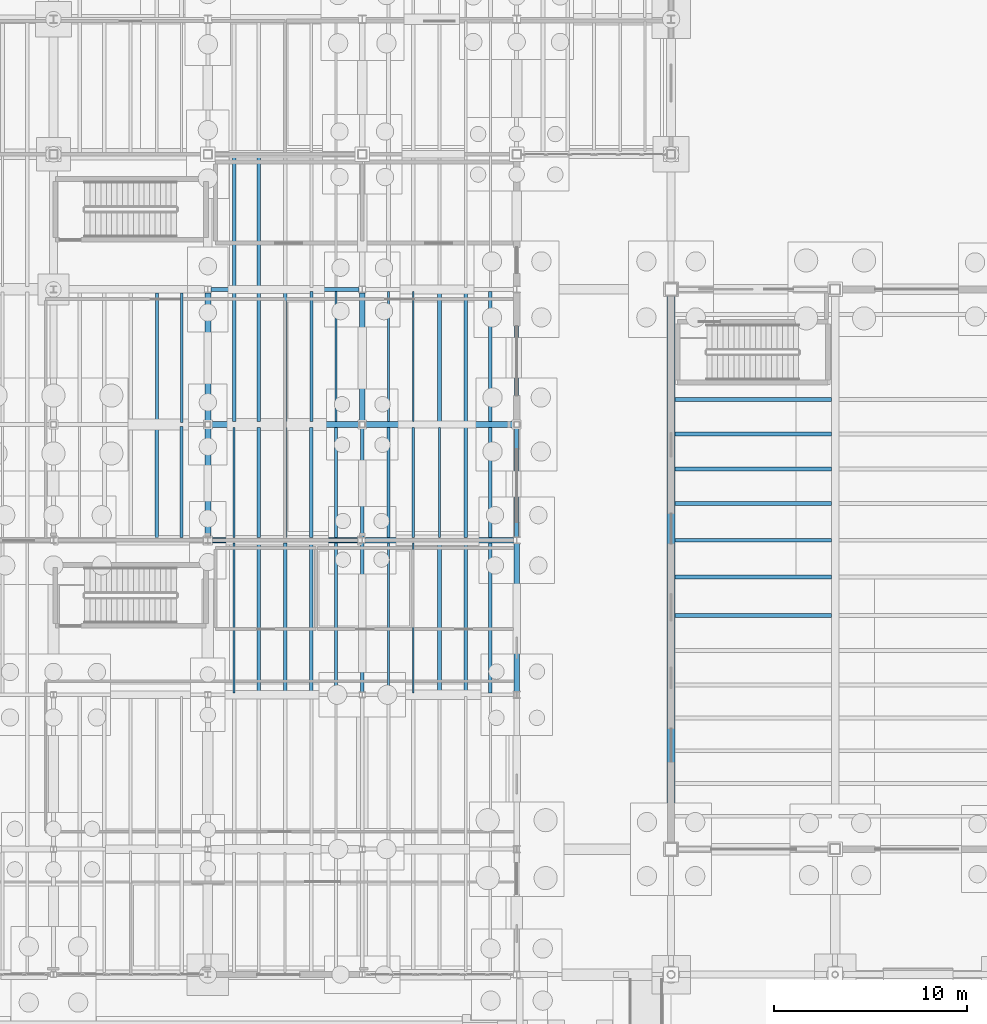
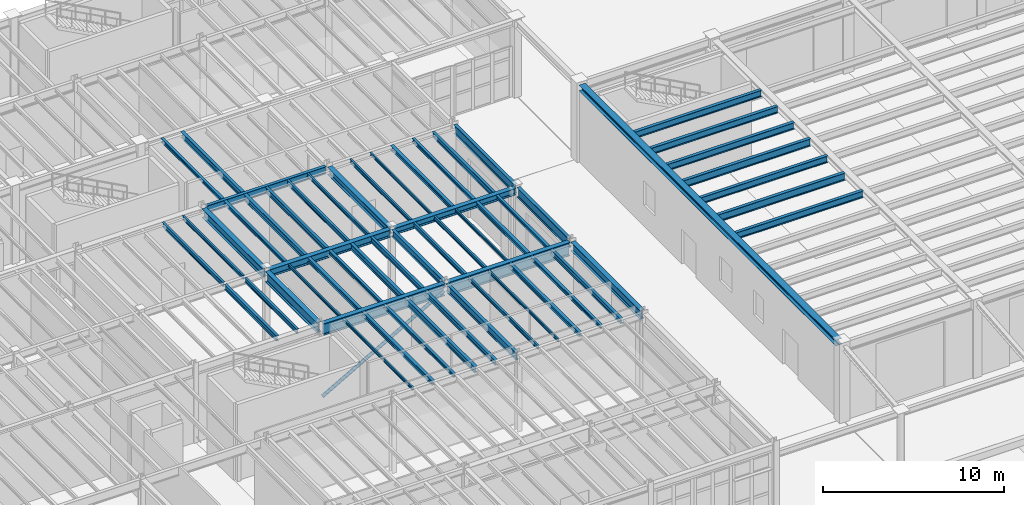
# One storey, part 28 of 86: 57 beams, 1 member.
"""IFC4 building model written with IfcOpenShell, lengths in metres."""

from ifc_helpers import new_model, si_unit, direction, frame, origin, origin_2d, place, context, subcontext, project, spatial, hollow_circle, i_section, extrude, material, material_profile, profile_set, type_object, element, save


model = new_model("IFC4")

# Units and contexts
model_context = context("Model", 3, precision=1e-05, world=origin(), true_north=direction((0.0, 1.0)))
body_context = subcontext(model_context, "Body", "Model", "MODEL_VIEW")
ifc_project = project(units=[si_unit("LENGTHUNIT", "METRE"), si_unit("AREAUNIT", "SQUARE_METRE"), si_unit("VOLUMEUNIT", "CUBIC_METRE"), si_unit("PLANEANGLEUNIT", "RADIAN"), si_unit("MASSUNIT", "GRAM", prefix="KILO"), si_unit("THERMODYNAMICTEMPERATUREUNIT", "KELVIN"), si_unit("POWERUNIT", "WATT")], contexts=[model_context])

# Site, building, storey
site_placement = place(None, origin())
site = spatial("IfcSite", under=ifc_project, at=site_placement, CompositionType="ELEMENT")
building_placement = place(site_placement, origin())
building = spatial("IfcBuilding", under=site, at=building_placement, Name="Zhenchuan Central Fire Station", CompositionType="ELEMENT")
storey_placement = place(building_placement, frame((0.0, 0.0, 0.449951171875)))
storey = spatial("IfcBuildingStorey", under=building, at=storey_placement, Name="L01", CompositionType="ELEMENT", Elevation=0.449951171875)

# Beams
ifc_material = material(Name="Steel Q355B", Category="steel")
ifc_material_profile_1 = material_profile(ifc_material, i_section(OverallWidth=0.300048828125, OverallDepth=0.43994140625, WebThickness=0.010986328125, FlangeThickness=0.01806640625, FilletRadius=0.02197265625, at=origin_2d()), Name="HM 440x300")
ifc_profile_set_1 = profile_set([ifc_material_profile_1], Name="Steel Q355B")
beam_type_1 = type_object("IfcBeamType", Name="BM-HM440-INT", PredefinedType="BEAM", material=ifc_profile_set_1)
beam_1_placement = place(storey_placement, frame((40.14990234375, 28.5, 4.93994140625), z_axis=(1.0, 0.0, 0.0), x_axis=(0.0, 1.0, 0.0)))
element("IfcBeam", 1, at=beam_1_placement, inside=storey, type_object=beam_type_1, Name="L02 Girder EW 0049", PredefinedType="BEAM", context=body_context, shape_type="SweptSolid", body=[
    extrude(i_section(OverallWidth=0.300048828125, OverallDepth=0.43994140625, WebThickness=0.010986328125, FlangeThickness=0.01806640625, FilletRadius=0.02197265625, at=origin_2d()), origin(), (0.0, 0.0, 1.0), 7.7001953125),
])
ifc_material_profile_2 = material_profile(ifc_material, i_section(OverallWidth=0.300048828125, OverallDepth=0.5, WebThickness=0.010986328125, FlangeThickness=0.01806640625, FilletRadius=0.02197265625, at=origin_2d()), Name="HM 500x300")
ifc_profile_set_2 = profile_set([ifc_material_profile_2], Name="Steel Q355B")
beam_type_2 = type_object("IfcBeamType", Name="BM-HM500-INT", PredefinedType="BEAM", material=ifc_profile_set_2)
beam_2_placement = place(storey_placement, frame((32.14990234375, 28.5, 4.91015625), z_axis=(1.0, 0.0, 0.0), x_axis=(0.0, 1.0, 0.0)))
element("IfcBeam", 2, at=beam_2_placement, inside=storey, type_object=beam_type_2, Name="L02 Girder EW 0048", PredefinedType="BEAM", context=body_context, shape_type="SweptSolid", body=[
    extrude(i_section(OverallWidth=0.300048828125, OverallDepth=0.5, WebThickness=0.010986328125, FlangeThickness=0.01806640625, FilletRadius=0.02197265625, at=origin_2d()), origin(), (0.0, 0.0, 1.0), 7.7001953125),
])
beam_3_placement = place(storey_placement, frame((40.0, 28.64990234375, 4.91015625), z_axis=(0.0, 1.0, 0.0), x_axis=(-1.0, 0.0, 0.0)))
element("IfcBeam", 3, at=beam_3_placement, inside=storey, type_object=beam_type_2, Name="L02 Girder NS 0138", PredefinedType="BEAM", context=body_context, shape_type="SweptSolid", body=[
    extrude(i_section(OverallWidth=0.300048828125, OverallDepth=0.5, WebThickness=0.010986328125, FlangeThickness=0.01806640625, FilletRadius=0.02197265625, at=origin_2d()), origin(), (0.0, 0.0, 1.0), 6.675048828125),
])
ifc_material_profile_3 = material_profile(ifc_material, i_section(OverallWidth=0.300048828125, OverallDepth=0.587890625, WebThickness=0.011962890625, FlangeThickness=0.02001953125, FilletRadius=0.02392578125, at=origin_2d()), Name="HM 588x300")
ifc_profile_set_3 = profile_set([ifc_material_profile_3], Name="Steel Q355B")
beam_type_3 = type_object("IfcBeamType", Name="BM-HM588", PredefinedType="BEAM", material=ifc_profile_set_3)
beam_4_placement = place(storey_placement, frame((32.0, 28.64990234375, 4.865966796875), z_axis=(0.0, 1.0, 0.0), x_axis=(-1.0, 0.0, 0.0)))
element("IfcBeam", 4, at=beam_4_placement, inside=storey, type_object=beam_type_3, Name="L02 Girder NS 0132", PredefinedType="BEAM", context=body_context, shape_type="SweptSolid", body=[
    extrude(i_section(OverallWidth=0.300048828125, OverallDepth=0.587890625, WebThickness=0.011962890625, FlangeThickness=0.02001953125, FilletRadius=0.02392578125, at=origin_2d()), origin(), (0.0, 0.0, 1.0), 6.675048828125),
])
beam_5_placement = place(storey_placement, frame((48.0, 14.675048828125, 4.906005859375), z_axis=(0.0, 1.0, 0.0), x_axis=(-1.0, 0.0, 0.0)))
element("IfcBeam", 5, at=beam_5_placement, inside=storey, type_object=beam_type_3, Name="L02 Girder NS 0143", PredefinedType="BEAM", context=body_context, shape_type="SweptSolid", body=[
    extrude(i_section(OverallWidth=0.300048828125, OverallDepth=0.587890625, WebThickness=0.011962890625, FlangeThickness=0.02001953125, FilletRadius=0.02392578125, at=origin_2d()), origin(), (0.0, 0.0, 1.0), 7.64990234375),
])
ifc_material_profile_4 = material_profile(ifc_material, i_section(OverallWidth=0.199951171875, OverallDepth=0.449951171875, WebThickness=0.009033203125, FlangeThickness=0.013916015625, FilletRadius=0.01806640625, at=origin_2d()), Name="HN 450x200")
ifc_profile_set_4 = profile_set([ifc_material_profile_4], Name="Steel Q355B")
beam_type_4 = type_object("IfcBeamType", Name="BM-HN450", PredefinedType="BEAM", material=ifc_profile_set_4)
beam_6_placement = place(storey_placement, frame((40.0, 22.64990234375, 4.93505859375), z_axis=(0.0, 1.0, 0.0), x_axis=(-1.0, 0.0, 0.0)))
element("IfcBeam", 6, at=beam_6_placement, inside=storey, type_object=beam_type_4, Name="L02 Girder NS 0137", PredefinedType="BEAM", context=body_context, shape_type="SweptSolid", body=[
    extrude(i_section(OverallWidth=0.199951171875, OverallDepth=0.449951171875, WebThickness=0.009033203125, FlangeThickness=0.013916015625, FilletRadius=0.01806640625, at=origin_2d()), origin(), (0.0, 0.0, 1.0), 5.7001953125),
])
for number, where, z_axis, x_axis, name in (
    (7, (56.197021484375, 18.60009765625, 4.97509765625), (1.0, 0.0, 0.0), (0.0, 1.0, 0.0), "Appliance Hall Secondary Floor Joist 0837"),
    (8, (56.197021484375, 22.5, 4.97509765625), (1.0, 0.0, 0.0), (0.0, 1.0, 0.0), "Appliance Hall Secondary Floor Joist 0839"),
    (9, (56.197021484375, 26.199951171875, 4.97509765625), (1.0, 0.0, 0.0), (0.0, 1.0, 0.0), "Appliance Hall Secondary Floor Joist 0841"),
    (10, (56.197021484375, 28.0, 4.97509765625), (1.0, 0.0, 0.0), (0.0, 1.0, 0.0), "Appliance Hall Secondary Floor Joist 0842"),
    (11, (56.197021484375, 29.800048828125, 4.97509765625), (1.0, 0.0, 0.0), (0.0, 1.0, 0.0), "Appliance Hall Secondary Floor Joist 0843"),
):
    element("IfcBeam", number, at=place(storey_placement, frame(where, z_axis=z_axis, x_axis=x_axis)), inside=storey, type_object=beam_type_4, Name=name, PredefinedType="BEAM", context=body_context, shape_type="SweptSolid", body=[
        extrude(i_section(OverallWidth=0.199951171875, OverallDepth=0.449951171875, WebThickness=0.009033203125, FlangeThickness=0.013916015625, FilletRadius=0.01806640625, at=origin_2d()), origin(), (0.0, 0.0, 1.0), 8.10595703125),
    ])
ifc_material_profile_5 = material_profile(ifc_material, i_section(OverallWidth=0.199951171875, OverallDepth=0.5, WebThickness=0.010009765625, FlangeThickness=0.01611328125, FilletRadius=0.02001953125, at=origin_2d()), Name="HN 500x200")
ifc_profile_set_5 = profile_set([ifc_material_profile_5], Name="Steel Q355B")
beam_type_5 = type_object("IfcBeamType", Name="BM-HN500-INT", PredefinedType="BEAM", material=ifc_profile_set_5)
beam_7_placement = place(storey_placement, frame((40.0, 14.64990234375, 4.91015625), z_axis=(0.0, 1.0, 0.0), x_axis=(-1.0, 0.0, 0.0)))
element("IfcBeam", 12, at=beam_7_placement, inside=storey, type_object=beam_type_5, Name="L02 Girder NS 0136", PredefinedType="BEAM", context=body_context, shape_type="SweptSolid", body=[
    extrude(i_section(OverallWidth=0.199951171875, OverallDepth=0.5, WebThickness=0.010009765625, FlangeThickness=0.01611328125, FilletRadius=0.02001953125, at=origin_2d()), origin(), (0.0, 0.0, 1.0), 7.7001953125),
])
for number, where, z_axis, x_axis, name in (
    (13, (56.197021484375, 20.60009765625, 4.949951171875), (1.0, 0.0, 0.0), (0.0, 1.0, 0.0), "Appliance Hall Secondary Floor Joist 0838"),
    (14, (56.197021484375, 24.39990234375, 4.949951171875), (1.0, 0.0, 0.0), (0.0, 1.0, 0.0), "Appliance Hall Secondary Floor Joist 0840"),
):
    element("IfcBeam", number, at=place(storey_placement, frame(where, z_axis=z_axis, x_axis=x_axis)), inside=storey, type_object=beam_type_5, Name=name, PredefinedType="BEAM", context=body_context, shape_type="SweptSolid", body=[
        extrude(i_section(OverallWidth=0.199951171875, OverallDepth=0.5, WebThickness=0.010009765625, FlangeThickness=0.01611328125, FilletRadius=0.02001953125, at=origin_2d()), origin(), (0.0, 0.0, 1.0), 8.10595703125),
    ])
ifc_material_profile_6 = material_profile(ifc_material, i_section(OverallWidth=0.199951171875, OverallDepth=0.60009765625, WebThickness=0.010986328125, FlangeThickness=0.01708984375, FilletRadius=0.02197265625, at=origin_2d()), Name="HN 600x200")
ifc_profile_set_6 = profile_set([ifc_material_profile_6], Name="Steel Q355B")
beam_type_6 = type_object("IfcBeamType", Name="BM-HN600-INT", PredefinedType="BEAM", material=ifc_profile_set_6)
beam_8_placement = place(storey_placement, frame((48.0, 28.64990234375, 4.900146484375), z_axis=(0.0, 1.0, 0.0), x_axis=(-1.0, 0.0, 0.0)))
element("IfcBeam", 15, at=beam_8_placement, inside=storey, type_object=beam_type_6, Name="L02 Girder NS 0145", PredefinedType="BEAM", context=body_context, shape_type="SweptSolid", body=[
    extrude(i_section(OverallWidth=0.199951171875, OverallDepth=0.60009765625, WebThickness=0.010986328125, FlangeThickness=0.01708984375, FilletRadius=0.02197265625, at=origin_2d()), origin(), (0.0, 0.0, 1.0), 6.675048828125),
])
ifc_material_profile_7 = material_profile(ifc_material, i_section(OverallWidth=0.199951171875, OverallDepth=0.64990234375, WebThickness=0.011962890625, FlangeThickness=0.02001953125, FilletRadius=0.02197265625, at=origin_2d()), Name="HN 650x200")
ifc_profile_set_7 = profile_set([ifc_material_profile_7], Name="Steel Q355B")
beam_type_7 = type_object("IfcBeamType", Name="BM-HN650", PredefinedType="BEAM", material=ifc_profile_set_7)
beam_9_placement = place(storey_placement, frame((48.0, 22.675048828125, 4.875), z_axis=(0.0, 1.0, 0.0), x_axis=(-1.0, 0.0, 0.0)))
element("IfcBeam", 16, at=beam_9_placement, inside=storey, type_object=beam_type_7, Name="L02 Girder NS 0144", PredefinedType="BEAM", context=body_context, shape_type="SweptSolid", body=[
    extrude(i_section(OverallWidth=0.199951171875, OverallDepth=0.64990234375, WebThickness=0.011962890625, FlangeThickness=0.02001953125, FilletRadius=0.02197265625, at=origin_2d()), origin(), (0.0, 0.0, 1.0), 5.675048828125),
])
ifc_material_profile_8 = material_profile(ifc_material, i_section(OverallWidth=0.300048828125, OverallDepth=0.699951171875, WebThickness=0.012939453125, FlangeThickness=0.02392578125, FilletRadius=0.02392578125, at=origin_2d()), Name="HN 700x300")
ifc_profile_set_8 = profile_set([ifc_material_profile_8], Name="Steel Q355B")
beam_type_8 = type_object("IfcBeamType", Name="BM-HN700", PredefinedType="BEAM", material=ifc_profile_set_8)
beam_10_placement = place(storey_placement, frame((32.0, 22.64990234375, 4.81005859375), z_axis=(0.0, 1.0, 0.0), x_axis=(-1.0, 0.0, 0.0)))
element("IfcBeam", 17, at=beam_10_placement, inside=storey, type_object=beam_type_8, Name="L02 Girder NS 0131", PredefinedType="BEAM", context=body_context, shape_type="SweptSolid", body=[
    extrude(i_section(OverallWidth=0.300048828125, OverallDepth=0.699951171875, WebThickness=0.012939453125, FlangeThickness=0.02392578125, FilletRadius=0.02392578125, at=origin_2d()), origin(), (0.0, 0.0, 1.0), 5.7001953125),
])
ifc_material_profile_9 = material_profile(ifc_material, i_section(OverallWidth=0.300048828125, OverallDepth=0.800048828125, WebThickness=0.013916015625, FlangeThickness=0.02587890625, FilletRadius=0.02587890625, at=origin_2d()), Name="HN 800x300")
ifc_profile_set_9 = profile_set([ifc_material_profile_9], Name="Steel Q355B")
beam_type_9 = type_object("IfcBeamType", Name="BM-HN800", PredefinedType="BEAM", material=ifc_profile_set_9)
beam_11_placement = place(storey_placement, frame((32.14990234375, 22.5, 4.760009765625), z_axis=(1.0, 0.0, 0.0), x_axis=(0.0, 1.0, 0.0)))
element("IfcBeam", 18, at=beam_11_placement, inside=storey, type_object=beam_type_9, Name="L02 Girder EW 0040", PredefinedType="BEAM", context=body_context, shape_type="SweptSolid", body=[
    extrude(i_section(OverallWidth=0.300048828125, OverallDepth=0.800048828125, WebThickness=0.013916015625, FlangeThickness=0.02587890625, FilletRadius=0.02587890625, at=origin_2d()), origin(), (0.0, 0.0, 1.0), 7.7001953125),
])
ifc_material_profile_10 = material_profile(ifc_material, i_section(OverallWidth=0.300048828125, OverallDepth=0.89990234375, WebThickness=0.01611328125, FlangeThickness=0.028076171875, FilletRadius=0.02587890625, at=origin_2d()), Name="HN 900x300")
ifc_profile_set_10 = profile_set([ifc_material_profile_10], Name="Steel Q355B")
beam_type_10 = type_object("IfcBeamType", Name="BM-HN900", PredefinedType="BEAM", material=ifc_profile_set_10)
beam_12_placement = place(storey_placement, frame((40.14990234375, 22.5, 4.7099609375), z_axis=(1.0, 0.0, 0.0), x_axis=(0.0, 1.0, 0.0)))
element("IfcBeam", 19, at=beam_12_placement, inside=storey, type_object=beam_type_10, Name="L02 Girder EW 0041", PredefinedType="BEAM", context=body_context, shape_type="SweptSolid", body=[
    extrude(i_section(OverallWidth=0.300048828125, OverallDepth=0.89990234375, WebThickness=0.01611328125, FlangeThickness=0.028076171875, FilletRadius=0.02587890625, at=origin_2d()), origin(), (0.0, 0.0, 1.0), 7.675048828125),
])
ifc_material_profile_11 = material_profile(ifc_material, i_section(OverallWidth=0.39990234375, OverallDepth=0.39990234375, WebThickness=0.012939453125, FlangeThickness=0.02099609375, FilletRadius=0.02197265625, at=origin_2d()), Name="HW 400x400")
ifc_profile_set_11 = profile_set([ifc_material_profile_11], Name="Steel Q355B")
beam_type_11 = type_object("IfcBeamType", Name="BM-HW400", PredefinedType="BEAM", material=ifc_profile_set_11)
beam_13_placement = place(storey_placement, frame((56.0, 6.824951171875, 5.0), z_axis=(0.0, 1.0, 0.0), x_axis=(-1.0, 0.0, 0.0)))
element("IfcBeam", 20, at=beam_13_placement, inside=storey, type_object=beam_type_11, Name="Pratt Transfer Truss TT-01 Bottom Chord", PredefinedType="BEAM", context=body_context, shape_type="SweptSolid", body=[
    extrude(i_section(OverallWidth=0.39990234375, OverallDepth=0.39990234375, WebThickness=0.012939453125, FlangeThickness=0.02099609375, FilletRadius=0.02197265625, at=origin_2d()), origin(), (0.0, 0.0, 1.0), 28.35009765625),
])
ifc_material_profile_12 = material_profile(ifc_material, i_section(OverallWidth=0.175048828125, OverallDepth=0.243896484375, WebThickness=0.007080078125, FlangeThickness=0.010986328125, FilletRadius=0.012939453125, at=origin_2d()), Name="HM 244x175")
ifc_profile_set_12 = profile_set([ifc_material_profile_12], Name="Steel Q355B")
beam_type_12 = type_object("IfcBeamType", Name="JS-HM244", PredefinedType="JOIST", material=ifc_profile_set_12)
for number, where, z_axis, x_axis, name in (
    (21, (36.0, 14.596923828125, 5.0380859375), (0.0, 1.0, 0.0), (-1.0, 0.0, 0.0), "L02 Secondary Joist 0084"),
    (22, (45.360107421875, 14.596923828125, 5.0380859375), (0.0, 1.0, 0.0), (-1.0, 0.0, 0.0), "L02 Secondary Joist 0090"),
):
    element("IfcBeam", number, at=place(storey_placement, frame(where, z_axis=z_axis, x_axis=x_axis)), inside=storey, type_object=beam_type_12, Name=name, PredefinedType="JOIST", context=body_context, shape_type="SweptSolid", body=[
        extrude(i_section(OverallWidth=0.175048828125, OverallDepth=0.243896484375, WebThickness=0.007080078125, FlangeThickness=0.010986328125, FilletRadius=0.012939453125, at=origin_2d()), origin(), (0.0, 0.0, 1.0), 7.756103515625),
    ])
for number, where, z_axis, x_axis, name in (
    (23, (36.0, 22.64697265625, 5.0380859375), (0.0, 1.0, 0.0), (-1.0, 0.0, 0.0), "L02 Secondary Joist 0119"),
    (24, (46.639892578125, 22.64697265625, 5.0380859375), (0.0, 1.0, 0.0), (-1.0, 0.0, 0.0), "L02 Secondary Joist 0126"),
):
    element("IfcBeam", number, at=place(storey_placement, frame(where, z_axis=z_axis, x_axis=x_axis)), inside=storey, type_object=beam_type_12, Name=name, PredefinedType="JOIST", context=body_context, shape_type="SweptSolid", body=[
        extrude(i_section(OverallWidth=0.175048828125, OverallDepth=0.243896484375, WebThickness=0.007080078125, FlangeThickness=0.010986328125, FilletRadius=0.012939453125, at=origin_2d()), origin(), (0.0, 0.0, 1.0), 5.7060546875),
    ])
for number, where, z_axis, x_axis, name in (
    (25, (33.360107421875, 28.64697265625, 5.0380859375), (0.0, 1.0, 0.0), (-1.0, 0.0, 0.0), "L02 Secondary Joist 0154"),
    (26, (45.360107421875, 28.64697265625, 5.0380859375), (0.0, 1.0, 0.0), (-1.0, 0.0, 0.0), "L02 Secondary Joist 0162"),
    (27, (33.360107421875, 35.596923828125, 5.0380859375), (0.0, 1.0, 0.0), (-1.0, 0.0, 0.0), "L02 Secondary Joist 0189"),
):
    element("IfcBeam", number, at=place(storey_placement, frame(where, z_axis=z_axis, x_axis=x_axis)), inside=storey, type_object=beam_type_12, Name=name, PredefinedType="JOIST", context=body_context, shape_type="SweptSolid", body=[
        extrude(i_section(OverallWidth=0.175048828125, OverallDepth=0.243896484375, WebThickness=0.007080078125, FlangeThickness=0.010986328125, FilletRadius=0.012939453125, at=origin_2d()), origin(), (0.0, 0.0, 1.0), 6.756103515625),
    ])
ifc_material_profile_13 = material_profile(ifc_material, i_section(OverallWidth=0.199951171875, OverallDepth=0.2939453125, WebThickness=0.008056640625, FlangeThickness=0.011962890625, FilletRadius=0.01611328125, at=origin_2d()), Name="HM 294x200")
ifc_profile_set_13 = profile_set([ifc_material_profile_13], Name="Steel Q355B")
beam_type_13 = type_object("IfcBeamType", Name="JS-HM294", PredefinedType="JOIST", material=ifc_profile_set_13)
for number, where, z_axis, x_axis, name in (
    (28, (34.639892578125, 14.596923828125, 5.012939453125), (0.0, 1.0, 0.0), (-1.0, 0.0, 0.0), "L02 Secondary Joist 0083"),
    (29, (44.0, 14.596923828125, 5.012939453125), (0.0, 1.0, 0.0), (-1.0, 0.0, 0.0), "L02 Secondary Joist 0089"),
):
    element("IfcBeam", number, at=place(storey_placement, frame(where, z_axis=z_axis, x_axis=x_axis)), inside=storey, type_object=beam_type_13, Name=name, PredefinedType="JOIST", context=body_context, shape_type="SweptSolid", body=[
        extrude(i_section(OverallWidth=0.199951171875, OverallDepth=0.2939453125, WebThickness=0.008056640625, FlangeThickness=0.011962890625, FilletRadius=0.01611328125, at=origin_2d()), origin(), (0.0, 0.0, 1.0), 7.756103515625),
    ])
for number, where, z_axis, x_axis, name in (
    (30, (34.639892578125, 22.64697265625, 5.012939453125), (0.0, 1.0, 0.0), (-1.0, 0.0, 0.0), "L02 Secondary Joist 0118"),
    (31, (45.360107421875, 22.64697265625, 5.012939453125), (0.0, 1.0, 0.0), (-1.0, 0.0, 0.0), "L02 Secondary Joist 0125"),
):
    element("IfcBeam", number, at=place(storey_placement, frame(where, z_axis=z_axis, x_axis=x_axis)), inside=storey, type_object=beam_type_13, Name=name, PredefinedType="JOIST", context=body_context, shape_type="SweptSolid", body=[
        extrude(i_section(OverallWidth=0.199951171875, OverallDepth=0.2939453125, WebThickness=0.008056640625, FlangeThickness=0.011962890625, FilletRadius=0.01611328125, at=origin_2d()), origin(), (0.0, 0.0, 1.0), 5.7060546875),
    ])
beam_14_placement = place(storey_placement, frame((44.0, 28.64697265625, 5.012939453125), z_axis=(0.0, 1.0, 0.0), x_axis=(-1.0, 0.0, 0.0)))
element("IfcBeam", 32, at=beam_14_placement, inside=storey, type_object=beam_type_13, Name="L02 Secondary Joist 0161", PredefinedType="JOIST", context=body_context, shape_type="SweptSolid", body=[
    extrude(i_section(OverallWidth=0.199951171875, OverallDepth=0.2939453125, WebThickness=0.008056640625, FlangeThickness=0.011962890625, FilletRadius=0.01611328125, at=origin_2d()), origin(), (0.0, 0.0, 1.0), 6.756103515625),
])
ifc_material_profile_14 = material_profile(ifc_material, i_section(OverallWidth=0.10009765625, OverallDepth=0.199951171875, WebThickness=0.005615234375, FlangeThickness=0.008056640625, FilletRadius=0.010986328125, at=origin_2d()), Name="HN 200x100")
ifc_profile_set_14 = profile_set([ifc_material_profile_14], Name="Steel Q355B")
beam_type_14 = type_object("IfcBeamType", Name="JS-HN200", PredefinedType="JOIST", material=ifc_profile_set_14)
for number, where, z_axis, x_axis, name in (
    (33, (33.360107421875, 14.596923828125, 5.06005859375), (0.0, 1.0, 0.0), (-1.0, 0.0, 0.0), "L02 Secondary Joist 0082"),
    (34, (42.639892578125, 14.596923828125, 5.06005859375), (0.0, 1.0, 0.0), (-1.0, 0.0, 0.0), "L02 Secondary Joist 0088"),
):
    element("IfcBeam", number, at=place(storey_placement, frame(where, z_axis=z_axis, x_axis=x_axis)), inside=storey, type_object=beam_type_14, Name=name, PredefinedType="JOIST", context=body_context, shape_type="SweptSolid", body=[
        extrude(i_section(OverallWidth=0.10009765625, OverallDepth=0.199951171875, WebThickness=0.005615234375, FlangeThickness=0.008056640625, FilletRadius=0.010986328125, at=origin_2d()), origin(), (0.0, 0.0, 1.0), 7.756103515625),
    ])
for number, where, z_axis, x_axis, name in (
    (35, (33.360107421875, 22.64697265625, 5.06005859375), (0.0, 1.0, 0.0), (-1.0, 0.0, 0.0), "L02 Secondary Joist 0117"),
    (36, (44.0, 22.64697265625, 5.06005859375), (0.0, 1.0, 0.0), (-1.0, 0.0, 0.0), "L02 Secondary Joist 0124"),
):
    element("IfcBeam", number, at=place(storey_placement, frame(where, z_axis=z_axis, x_axis=x_axis)), inside=storey, type_object=beam_type_14, Name=name, PredefinedType="JOIST", context=body_context, shape_type="SweptSolid", body=[
        extrude(i_section(OverallWidth=0.10009765625, OverallDepth=0.199951171875, WebThickness=0.005615234375, FlangeThickness=0.008056640625, FilletRadius=0.010986328125, at=origin_2d()), origin(), (0.0, 0.0, 1.0), 5.7060546875),
    ])
beam_15_placement = place(storey_placement, frame((42.639892578125, 28.64697265625, 5.06005859375), z_axis=(0.0, 1.0, 0.0), x_axis=(-1.0, 0.0, 0.0)))
element("IfcBeam", 37, at=beam_15_placement, inside=storey, type_object=beam_type_14, Name="L02 Secondary Joist 0160", PredefinedType="JOIST", context=body_context, shape_type="SweptSolid", body=[
    extrude(i_section(OverallWidth=0.10009765625, OverallDepth=0.199951171875, WebThickness=0.005615234375, FlangeThickness=0.008056640625, FilletRadius=0.010986328125, at=origin_2d()), origin(), (0.0, 0.0, 1.0), 6.756103515625),
])
ifc_material_profile_15 = material_profile(ifc_material, i_section(OverallWidth=0.125, OverallDepth=0.25, WebThickness=0.006103515625, FlangeThickness=0.009033203125, FilletRadius=0.011962890625, at=origin_2d()), Name="HN 250x125")
ifc_profile_set_15 = profile_set([ifc_material_profile_15], Name="Steel Q355B")
beam_type_15 = type_object("IfcBeamType", Name="JS-HN250", PredefinedType="JOIST", material=ifc_profile_set_15)
beam_16_placement = place(storey_placement, frame((41.360107421875, 14.596923828125, 5.03515625), z_axis=(0.0, 1.0, 0.0), x_axis=(-1.0, 0.0, 0.0)))
element("IfcBeam", 38, at=beam_16_placement, inside=storey, type_object=beam_type_15, Name="L02 Secondary Joist 0087", PredefinedType="JOIST", context=body_context, shape_type="SweptSolid", body=[
    extrude(i_section(OverallWidth=0.125, OverallDepth=0.25, WebThickness=0.006103515625, FlangeThickness=0.009033203125, FilletRadius=0.011962890625, at=origin_2d()), origin(), (0.0, 0.0, 1.0), 7.756103515625),
])
beam_17_placement = place(storey_placement, frame((42.639892578125, 22.64697265625, 5.03515625), z_axis=(0.0, 1.0, 0.0), x_axis=(-1.0, 0.0, 0.0)))
element("IfcBeam", 39, at=beam_17_placement, inside=storey, type_object=beam_type_15, Name="L02 Secondary Joist 0123", PredefinedType="JOIST", context=body_context, shape_type="SweptSolid", body=[
    extrude(i_section(OverallWidth=0.125, OverallDepth=0.25, WebThickness=0.006103515625, FlangeThickness=0.009033203125, FilletRadius=0.011962890625, at=origin_2d()), origin(), (0.0, 0.0, 1.0), 5.7060546875),
])
beam_18_placement = place(storey_placement, frame((30.639892578125, 28.596923828125, 5.03515625), z_axis=(0.0, 1.0, 0.0), x_axis=(-1.0, 0.0, 0.0)))
element("IfcBeam", 40, at=beam_18_placement, inside=storey, type_object=beam_type_15, Name="L02 Secondary Joist 0153", PredefinedType="JOIST", context=body_context, shape_type="SweptSolid", body=[
    extrude(i_section(OverallWidth=0.125, OverallDepth=0.25, WebThickness=0.006103515625, FlangeThickness=0.009033203125, FilletRadius=0.011962890625, at=origin_2d()), origin(), (0.0, 0.0, 1.0), 6.716064453125),
])
for number, where, z_axis, x_axis, name in (
    (41, (38.639892578125, 28.64697265625, 5.03515625), (0.0, 1.0, 0.0), (-1.0, 0.0, 0.0), "L02 Secondary Joist 0158"),
    (42, (41.360107421875, 28.64697265625, 5.03515625), (0.0, 1.0, 0.0), (-1.0, 0.0, 0.0), "L02 Secondary Joist 0159"),
):
    element("IfcBeam", number, at=place(storey_placement, frame(where, z_axis=z_axis, x_axis=x_axis)), inside=storey, type_object=beam_type_15, Name=name, PredefinedType="JOIST", context=body_context, shape_type="SweptSolid", body=[
        extrude(i_section(OverallWidth=0.125, OverallDepth=0.25, WebThickness=0.006103515625, FlangeThickness=0.009033203125, FilletRadius=0.011962890625, at=origin_2d()), origin(), (0.0, 0.0, 1.0), 6.756103515625),
    ])
ifc_material_profile_16 = material_profile(ifc_material, i_section(OverallWidth=0.14990234375, OverallDepth=0.300048828125, WebThickness=0.006591796875, FlangeThickness=0.009033203125, FilletRadius=0.012939453125, at=origin_2d()), Name="HN 300x150")
ifc_profile_set_16 = profile_set([ifc_material_profile_16], Name="Steel Q355B")
beam_type_16 = type_object("IfcBeamType", Name="JS-HN300", PredefinedType="JOIST", material=ifc_profile_set_16)
beam_19_placement = place(storey_placement, frame((30.639892578125, 22.64697265625, 5.010009765625), z_axis=(0.0, 1.0, 0.0), x_axis=(-1.0, 0.0, 0.0)))
element("IfcBeam", 43, at=beam_19_placement, inside=storey, type_object=beam_type_16, Name="L02 Secondary Joist 0116", PredefinedType="JOIST", context=body_context, shape_type="SweptSolid", body=[
    extrude(i_section(OverallWidth=0.14990234375, OverallDepth=0.300048828125, WebThickness=0.006591796875, FlangeThickness=0.009033203125, FilletRadius=0.012939453125, at=origin_2d()), origin(), (0.0, 0.0, 1.0), 5.756103515625),
])
beam_20_placement = place(storey_placement, frame((41.360107421875, 22.64697265625, 5.010009765625), z_axis=(0.0, 1.0, 0.0), x_axis=(-1.0, 0.0, 0.0)))
element("IfcBeam", 44, at=beam_20_placement, inside=storey, type_object=beam_type_16, Name="L02 Secondary Joist 0122", PredefinedType="JOIST", context=body_context, shape_type="SweptSolid", body=[
    extrude(i_section(OverallWidth=0.14990234375, OverallDepth=0.300048828125, WebThickness=0.006591796875, FlangeThickness=0.009033203125, FilletRadius=0.012939453125, at=origin_2d()), origin(), (0.0, 0.0, 1.0), 5.7060546875),
])
beam_21_placement = place(storey_placement, frame((29.360107421875, 28.596923828125, 5.010009765625), z_axis=(0.0, 1.0, 0.0), x_axis=(-1.0, 0.0, 0.0)))
element("IfcBeam", 45, at=beam_21_placement, inside=storey, type_object=beam_type_16, Name="L02 Secondary Joist 0152", PredefinedType="JOIST", context=body_context, shape_type="SweptSolid", body=[
    extrude(i_section(OverallWidth=0.14990234375, OverallDepth=0.300048828125, WebThickness=0.006591796875, FlangeThickness=0.009033203125, FilletRadius=0.012939453125, at=origin_2d()), origin(), (0.0, 0.0, 1.0), 6.716064453125),
])
beam_22_placement = place(storey_placement, frame((37.360107421875, 28.64697265625, 5.010009765625), z_axis=(0.0, 1.0, 0.0), x_axis=(-1.0, 0.0, 0.0)))
element("IfcBeam", 46, at=beam_22_placement, inside=storey, type_object=beam_type_16, Name="L02 Secondary Joist 0157", PredefinedType="JOIST", context=body_context, shape_type="SweptSolid", body=[
    extrude(i_section(OverallWidth=0.14990234375, OverallDepth=0.300048828125, WebThickness=0.006591796875, FlangeThickness=0.009033203125, FilletRadius=0.012939453125, at=origin_2d()), origin(), (0.0, 0.0, 1.0), 6.756103515625),
])
ifc_material_profile_17 = material_profile(ifc_material, i_section(OverallWidth=0.175048828125, OverallDepth=0.35009765625, WebThickness=0.007080078125, FlangeThickness=0.010986328125, FilletRadius=0.013916015625, at=origin_2d()), Name="HN 350x175")
ifc_profile_set_17 = profile_set([ifc_material_profile_17], Name="Steel Q355B")
beam_type_17 = type_object("IfcBeamType", Name="JS-HN350", PredefinedType="JOIST", material=ifc_profile_set_17)
for number, where, z_axis, x_axis, name in (
    (47, (38.639892578125, 14.596923828125, 4.985107421875), (0.0, 1.0, 0.0), (-1.0, 0.0, 0.0), "L02 Secondary Joist 0086"),
    (48, (46.639892578125, 14.596923828125, 4.985107421875), (0.0, 1.0, 0.0), (-1.0, 0.0, 0.0), "L02 Secondary Joist 0091"),
):
    element("IfcBeam", number, at=place(storey_placement, frame(where, z_axis=z_axis, x_axis=x_axis)), inside=storey, type_object=beam_type_17, Name=name, PredefinedType="JOIST", context=body_context, shape_type="SweptSolid", body=[
        extrude(i_section(OverallWidth=0.175048828125, OverallDepth=0.35009765625, WebThickness=0.007080078125, FlangeThickness=0.010986328125, FilletRadius=0.013916015625, at=origin_2d()), origin(), (0.0, 0.0, 1.0), 7.756103515625),
    ])
beam_23_placement = place(storey_placement, frame((29.360107421875, 22.64697265625, 4.985107421875), z_axis=(0.0, 1.0, 0.0), x_axis=(-1.0, 0.0, 0.0)))
element("IfcBeam", 49, at=beam_23_placement, inside=storey, type_object=beam_type_17, Name="L02 Secondary Joist 0115", PredefinedType="JOIST", context=body_context, shape_type="SweptSolid", body=[
    extrude(i_section(OverallWidth=0.175048828125, OverallDepth=0.35009765625, WebThickness=0.007080078125, FlangeThickness=0.010986328125, FilletRadius=0.013916015625, at=origin_2d()), origin(), (0.0, 0.0, 1.0), 5.756103515625),
])
beam_24_placement = place(storey_placement, frame((38.639892578125, 22.64697265625, 4.985107421875), z_axis=(0.0, 1.0, 0.0), x_axis=(-1.0, 0.0, 0.0)))
element("IfcBeam", 50, at=beam_24_placement, inside=storey, type_object=beam_type_17, Name="L02 Secondary Joist 0121", PredefinedType="JOIST", context=body_context, shape_type="SweptSolid", body=[
    extrude(i_section(OverallWidth=0.175048828125, OverallDepth=0.35009765625, WebThickness=0.007080078125, FlangeThickness=0.010986328125, FilletRadius=0.013916015625, at=origin_2d()), origin(), (0.0, 0.0, 1.0), 5.7060546875),
])
for number, where, z_axis, x_axis, name in (
    (51, (36.0, 28.64697265625, 4.985107421875), (0.0, 1.0, 0.0), (-1.0, 0.0, 0.0), "L02 Secondary Joist 0156"),
    (52, (46.639892578125, 28.64697265625, 4.985107421875), (0.0, 1.0, 0.0), (-1.0, 0.0, 0.0), "L02 Secondary Joist 0163"),
):
    element("IfcBeam", number, at=place(storey_placement, frame(where, z_axis=z_axis, x_axis=x_axis)), inside=storey, type_object=beam_type_17, Name=name, PredefinedType="JOIST", context=body_context, shape_type="SweptSolid", body=[
        extrude(i_section(OverallWidth=0.175048828125, OverallDepth=0.35009765625, WebThickness=0.007080078125, FlangeThickness=0.010986328125, FilletRadius=0.013916015625, at=origin_2d()), origin(), (0.0, 0.0, 1.0), 6.756103515625),
    ])
ifc_material_profile_18 = material_profile(ifc_material, i_section(OverallWidth=0.199951171875, OverallDepth=0.39990234375, WebThickness=0.008056640625, FlangeThickness=0.012939453125, FilletRadius=0.01611328125, at=origin_2d()), Name="HN 400x200")
ifc_profile_set_18 = profile_set([ifc_material_profile_18], Name="Steel Q355B")
beam_type_18 = type_object("IfcBeamType", Name="JS-HN400", PredefinedType="JOIST", material=ifc_profile_set_18)
beam_25_placement = place(storey_placement, frame((37.360107421875, 14.596923828125, 4.9599609375), z_axis=(0.0, 1.0, 0.0), x_axis=(-1.0, 0.0, 0.0)))
element("IfcBeam", 53, at=beam_25_placement, inside=storey, type_object=beam_type_18, Name="L02 Secondary Joist 0085", PredefinedType="JOIST", context=body_context, shape_type="SweptSolid", body=[
    extrude(i_section(OverallWidth=0.199951171875, OverallDepth=0.39990234375, WebThickness=0.008056640625, FlangeThickness=0.012939453125, FilletRadius=0.01611328125, at=origin_2d()), origin(), (0.0, 0.0, 1.0), 7.756103515625),
])
beam_26_placement = place(storey_placement, frame((37.360107421875, 22.64697265625, 4.9599609375), z_axis=(0.0, 1.0, 0.0), x_axis=(-1.0, 0.0, 0.0)))
element("IfcBeam", 54, at=beam_26_placement, inside=storey, type_object=beam_type_18, Name="L02 Secondary Joist 0120", PredefinedType="JOIST", context=body_context, shape_type="SweptSolid", body=[
    extrude(i_section(OverallWidth=0.199951171875, OverallDepth=0.39990234375, WebThickness=0.008056640625, FlangeThickness=0.012939453125, FilletRadius=0.01611328125, at=origin_2d()), origin(), (0.0, 0.0, 1.0), 5.7060546875),
])
for number, where, z_axis, x_axis, name in (
    (55, (34.639892578125, 28.64697265625, 4.9599609375), (0.0, 1.0, 0.0), (-1.0, 0.0, 0.0), "L02 Secondary Joist 0155"),
    (56, (34.639892578125, 35.596923828125, 4.9599609375), (0.0, 1.0, 0.0), (-1.0, 0.0, 0.0), "L02 Secondary Joist 0190"),
):
    element("IfcBeam", number, at=place(storey_placement, frame(where, z_axis=z_axis, x_axis=x_axis)), inside=storey, type_object=beam_type_18, Name=name, PredefinedType="JOIST", context=body_context, shape_type="SweptSolid", body=[
        extrude(i_section(OverallWidth=0.199951171875, OverallDepth=0.39990234375, WebThickness=0.008056640625, FlangeThickness=0.012939453125, FilletRadius=0.01611328125, at=origin_2d()), origin(), (0.0, 0.0, 1.0), 6.756103515625),
    ])

# Member
ifc_material_profile_19 = material_profile(ifc_material, hollow_circle(Radius=0.109619140625, WallThickness=0.010009765625, at=origin_2d()), Name="CHS 219.1x10")
ifc_profile_set_19 = profile_set([ifc_material_profile_19], Name="Steel Q355B")
member_type = type_object("IfcMemberType", Name="MB-BR-CHS219", PredefinedType="BRACE", material=ifc_profile_set_19)
member_placement = place(storey_placement, frame((32.1279296875, 22.5, 0.199951171875), z_axis=(0.869453346489, 0.0, 0.494015058757), x_axis=(0.0, 1.0, 0.0)))
element("IfcMember", 57, at=member_placement, inside=storey, type_object=member_type, Name="Interior Frame Lateral Brace 03", PredefinedType="BRACE", context=body_context, shape_type="SweptSolid", body=[
    extrude(hollow_circle(Radius=0.109619140625, WallThickness=0.010009765625, at=origin_2d()), origin(), (0.0, 0.0, 1.0), 8.906982421875),
])

# Beam
ifc_material_profile_20 = material_profile(ifc_material, i_section(OverallWidth=0.199951171875, OverallDepth=0.5, WebThickness=0.010009765625, FlangeThickness=0.01611328125, FilletRadius=0.02001953125, at=origin_2d()), Name="HN 500x200")
ifc_profile_set_20 = profile_set([ifc_material_profile_20], Name="Steel Q355B")
beam_type_19 = type_object("IfcBeamType", Name="SP-HN500-INT", PredefinedType="SPANDREL", material=ifc_profile_set_20)
beam_27_placement = place(storey_placement, frame((32.175048828125, 35.5, 4.91015625), z_axis=(1.0, 0.0, 0.0), x_axis=(0.0, 1.0, 0.0)))
element("IfcBeam", 58, at=beam_27_placement, inside=storey, type_object=beam_type_19, Name="L02 Girder EW 0057", PredefinedType="SPANDREL", context=body_context, shape_type="SweptSolid", body=[
    extrude(i_section(OverallWidth=0.199951171875, OverallDepth=0.5, WebThickness=0.010009765625, FlangeThickness=0.01611328125, FilletRadius=0.02001953125, at=origin_2d()), origin(), (0.0, 0.0, 1.0), 7.64990234375),
])

save(model, "model.ifc")
